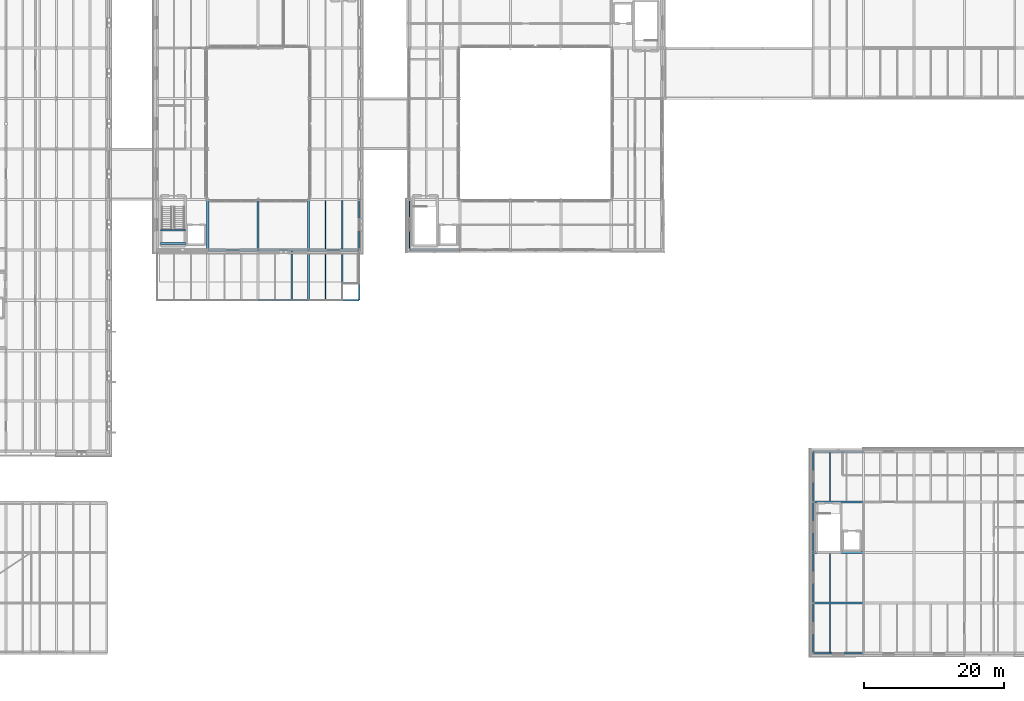
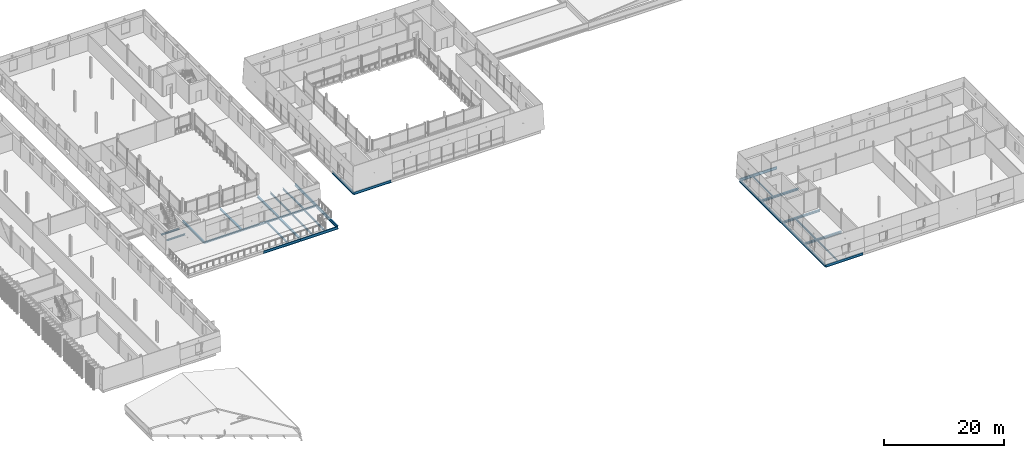
# One storey, part 15 of 91: 32 beams.
"""IFC4 building model written with IfcOpenShell, lengths in metres."""

import ifcopenshell
import ifcopenshell.guid

model = None  # the IFC model being written
_history = None  # IfcOwnerHistory: only IFC2X3 demands one
_inside = {}  # id of a spatial element -> (the spatial element, [elements in it])
_under = {}  # id of a project, library or spatial element -> (it, [spatial elements below it])
_declared = {}  # id of a project -> (the project, [libraries it declares])
_typed = {}  # id of a type object -> (the type object, [elements of that type])
_made_of = {}  # id of a material, layer set ... -> (it, [elements and type objects made of it])


def new_model(schema):
    """Start an empty IFC model of exactly this schema.

    Asked for "IFC4X3", IfcOpenShell would pick the latest addendum, in which some entities
    have other attributes; the version numbers below select the first issue.
    IFC2X3 requires an IfcOwnerHistory on every rooted entity: one is made here for all.
    """
    global model, _history
    if schema == "IFC4X3":
        model = ifcopenshell.file(schema_version=(4, 3, 0, 0))
    else:
        model = ifcopenshell.file(schema=schema)
    _inside.clear()
    _under.clear()
    _declared.clear()
    _typed.clear()
    _made_of.clear()
    _history = None
    if model.schema == "IFC2X3":
        org = make("IfcOrganization", Name="unknown")
        user = make(
            "IfcPersonAndOrganization",
            ThePerson=make("IfcPerson", FamilyName="unknown"),
            TheOrganization=org,
        )
        app = make(
            "IfcApplication",
            ApplicationDeveloper=org,
            Version="unknown",
            ApplicationFullName="unknown",
            ApplicationIdentifier="unknown",
        )
        _history = make(
            "IfcOwnerHistory",
            OwningUser=user,
            OwningApplication=app,
            ChangeAction="ADDED",
            CreationDate=0,
        )
    return model


def make(cls, **values):
    """One entity of the class cls with the attributes given. An attribute that is None is left unset."""
    return model.create_entity(
        cls, **{name: value for name, value in values.items() if value is not None}
    )


def rooted(cls, **values):
    """An entity with a GlobalId (a new one), such as an element, a storey or a relation."""
    return make(cls, GlobalId=ifcopenshell.guid.new(), OwnerHistory=_history, **values)


def si_unit(unit_type, name, prefix=None):
    """IfcSIUnit, for example si_unit("LENGTHUNIT", "METRE", prefix="MILLI")."""
    return make("IfcSIUnit", UnitType=unit_type, Prefix=prefix, Name=name)


def assignment(units):
    """IfcUnitAssignment: the units of a project."""
    return None if units is None else make("IfcUnitAssignment", Units=units)


def point(xyz):
    """IfcCartesianPoint."""
    return None if xyz is None else make("IfcCartesianPoint", Coordinates=xyz)


def direction(xyz):
    """IfcDirection."""
    return None if xyz is None else make("IfcDirection", DirectionRatios=xyz)


def frame(location, z_axis=None, x_axis=None):
    """IfcAxis2Placement3D, a coordinate frame: its origin and axes. An axis left out is left unset."""
    return make(
        "IfcAxis2Placement3D",
        Location=point(location),
        Axis=direction(z_axis),
        RefDirection=direction(x_axis),
    )


def frame_2d(location, x_axis=None):
    """IfcAxis2Placement2D, a coordinate frame in the plane: its origin and x axis."""
    return make(
        "IfcAxis2Placement2D", Location=point(location), RefDirection=direction(x_axis)
    )


def origin():
    """The frame at (0, 0, 0) with its axes left unset."""
    return frame((0.0, 0.0, 0.0))


def origin_2d():
    """The frame at (0, 0) in the plane with its x axis left unset."""
    return frame_2d((0.0, 0.0))


def place(relative_to, where):
    """IfcLocalPlacement: puts the frame where relative to a parent placement (None: the world)."""
    return make(
        "IfcLocalPlacement", PlacementRelTo=relative_to, RelativePlacement=where
    )


def context(
    kind, dimensions, precision=None, world=None, true_north=None, identifier=None
):
    """IfcGeometricRepresentationContext, for example the 3D "Model" context."""
    return make(
        "IfcGeometricRepresentationContext",
        ContextIdentifier=identifier,
        ContextType=kind,
        CoordinateSpaceDimension=dimensions,
        Precision=precision,
        WorldCoordinateSystem=world,
        TrueNorth=true_north,
    )


def subcontext(parent, identifier, kind, view, scale=None):
    """IfcGeometricRepresentationSubContext, for example "Body" below "Model"."""
    return make(
        "IfcGeometricRepresentationSubContext",
        ContextIdentifier=identifier,
        ContextType=kind,
        ParentContext=parent,
        TargetScale=scale,
        TargetView=view,
    )


def project(units=None, contexts=None):
    """IfcProject with its units and contexts."""
    return rooted(
        "IfcProject",
        Name="project",
        RepresentationContexts=contexts,
        UnitsInContext=assignment(units),
    )


def spatial(cls, under=None, at=None, **own):
    """A site, building, storey or space (cls), placed at a placement, below another one or the project."""
    s = rooted(cls, ObjectPlacement=at, **own)
    if under is not None:
        _under.setdefault(under.id(), (under, []))[1].append(s)
    return s


def profile(cls, at=None, kind="AREA", **sizes):
    """A parametric profile (cls). Its sizes go by their IFC names, for example OverallWidth=200.0."""
    return make(cls, ProfileType=kind, Position=at, **sizes)


def i_section(**sizes):
    """IfcIShapeProfileDef."""
    return profile("IfcIShapeProfileDef", **sizes)


def extrude(swept, where, along, depth):
    """IfcExtrudedAreaSolid: the profile swept, set in the frame where, extruded along a direction by depth."""
    return make(
        "IfcExtrudedAreaSolid",
        SweptArea=swept,
        Position=where,
        ExtrudedDirection=direction(along),
        Depth=depth,
    )


def shape(context_of_items, identifier, shape_type, items):
    """IfcShapeRepresentation: the items that make up one representation, for example the "Body"."""
    return make(
        "IfcShapeRepresentation",
        ContextOfItems=context_of_items,
        RepresentationIdentifier=identifier,
        RepresentationType=shape_type,
        Items=items,
    )


def material(Name=None, Category=None):
    """IfcMaterial."""
    return make("IfcMaterial", Name=Name, Category=Category)


def material_profile(
    of_material, cross_section, Name=None, Category=None, Priority=None
):
    """IfcMaterialProfile: a cross section and its material."""
    return make(
        "IfcMaterialProfile",
        Name=Name,
        Material=of_material,
        Profile=cross_section,
        Priority=Priority,
        Category=Category,
    )


def profile_set(profiles, Name=None, composite=None):
    """IfcMaterialProfileSet."""
    return make(
        "IfcMaterialProfileSet",
        Name=Name,
        MaterialProfiles=profiles,
        CompositeProfile=composite,
    )


def made_of(thing, what):
    """Note that an element or type object is made of a material, layer set ...; save() writes the relation."""
    if what is not None:
        _made_of.setdefault(what.id(), (what, []))[1].append(thing)
    return thing


def type_object(cls, material=None, **own):
    """A type object (cls), such as IfcWallType, which elements share."""
    return made_of(rooted(cls, **own), material)


def element(
    cls,
    number,
    at=None,
    inside=None,
    cuts=None,
    type_object=None,
    material=None,
    context=None,
    identifier="Body",
    shape_type=None,
    held_by="IfcProductDefinitionShape",
    body=None,
    shapes=None,
    **own,
):
    """One element of the class cls, such as IfcWall. Its Tag is "e" and its number.

    at: its placement. inside: the storey or other place that contains it. cuts: it is an
    opening in that element (IfcRelVoidsElement). A single representation is given by context,
    identifier, shape_type and body (its items); several are given by shapes. held_by: the class
    of the entity that holds the representations. save() writes the other relations.
    """
    e = rooted(cls, Tag="e%d" % number, ObjectPlacement=at, **own)
    if body is not None:
        shapes = [shape(context, identifier, shape_type, body)]
    if shapes is not None:
        e.Representation = make(held_by, Representations=shapes)
    if inside is not None:
        _inside.setdefault(inside.id(), (inside, []))[1].append(e)
    if cuts is not None:
        rooted(
            "IfcRelVoidsElement", RelatingBuildingElement=cuts, RelatedOpeningElement=e
        )
    if type_object is not None:
        _typed.setdefault(type_object.id(), (type_object, []))[1].append(e)
    return made_of(e, material)


def aggregate(whole, parts):
    """IfcRelAggregates: a whole, such as a stair, and the parts it consists of."""
    return rooted("IfcRelAggregates", RelatingObject=whole, RelatedObjects=parts)


def save(model, path):
    """Write the relations noted so far, then the file.

    IfcRelAggregates (storeys below a building ...), IfcRelContainedInSpatialStructure (elements
    in a storey), IfcRelDefinesByType, IfcRelAssociatesMaterial and IfcRelDeclares: one each for
    every whole, place, type object, material and project.
    """
    for whole, parts in _under.values():
        aggregate(whole, parts)
    for where, things in _inside.values():
        rooted(
            "IfcRelContainedInSpatialStructure",
            RelatedElements=things,
            RelatingStructure=where,
        )
    for kind, things in _typed.values():
        rooted("IfcRelDefinesByType", RelatedObjects=things, RelatingType=kind)
    for what, things in _made_of.values():
        rooted("IfcRelAssociatesMaterial", RelatedObjects=things, RelatingMaterial=what)
    for by, libraries in _declared.values():
        rooted("IfcRelDeclares", RelatingContext=by, RelatedDefinitions=libraries)
    model.write(path)


model = new_model("IFC4")

# Units and contexts
model_context = context("Model", 3, precision=1e-05, world=origin(), true_north=direction((0.0, 1.0)))
body_context = subcontext(model_context, "Body", "Model", "MODEL_VIEW")
ifc_project = project(units=[si_unit("LENGTHUNIT", "METRE"), si_unit("AREAUNIT", "SQUARE_METRE"), si_unit("VOLUMEUNIT", "CUBIC_METRE"), si_unit("PLANEANGLEUNIT", "RADIAN"), si_unit("MASSUNIT", "GRAM", prefix="KILO")], contexts=[model_context])

# Site, building, storey
site_placement = place(None, origin())
site = spatial("IfcSite", under=ifc_project, at=site_placement, CompositionType="ELEMENT")
building_placement = place(site_placement, origin())
building = spatial("IfcBuilding", under=site, at=building_placement, Name="Narikvali Park Central Library", CompositionType="ELEMENT")
storey_placement = place(building_placement, frame((0.0, 0.0, 14.39990234375)))
storey = spatial("IfcBuildingStorey", under=building, at=storey_placement, Name="L03", CompositionType="ELEMENT", Elevation=14.39990234375)

# Beams
ifc_material = material(Name="Steel S355", Category="steel")
ifc_material_profile_1 = material_profile(ifc_material, i_section(OverallWidth=0.159912109375, OverallDepth=0.330078125, WebThickness=0.007568359375, FlangeThickness=0.011474609375, FilletRadius=0.01806640625, at=origin_2d()), Name="IPE 330")
ifc_profile_set_1 = profile_set([ifc_material_profile_1], Name="Steel S355")
beam_type_1 = type_object("IfcBeamType", Name="Composite Floor Joist IPE330", PredefinedType="JOIST", material=ifc_profile_set_1)
beam_1_placement = place(storey_placement, frame((124.800048828125, 0.10498046875, -0.44482421875), z_axis=(0.0, 1.0, 0.0), x_axis=(-1.0, 0.0, 0.0)))
element("IfcBeam", 1, at=beam_1_placement, inside=storey, type_object=beam_type_1, Name="V6 L03 Composite Joist 1", PredefinedType="JOIST", context=body_context, shape_type="SweptSolid", body=[
    extrude(i_section(OverallWidth=0.159912109375, OverallDepth=0.330078125, WebThickness=0.007568359375, FlangeThickness=0.011474609375, FilletRadius=0.01806640625, at=origin_2d()), origin(), (0.0, 0.0, 1.0), 6.945068359375),
])
beam_2_placement = place(storey_placement, frame((124.800048828125, 7.35009765625, -0.44482421875), z_axis=(0.0, 1.0, 0.0), x_axis=(-1.0, 0.0, 0.0)))
element("IfcBeam", 2, at=beam_2_placement, inside=storey, type_object=beam_type_1, Name="V6 L03 Composite Joist 1", PredefinedType="JOIST", context=body_context, shape_type="SweptSolid", body=[
    extrude(i_section(OverallWidth=0.159912109375, OverallDepth=0.330078125, WebThickness=0.007568359375, FlangeThickness=0.011474609375, FilletRadius=0.01806640625, at=origin_2d()), origin(), (0.0, 0.0, 1.0), 6.89990234375),
])
beam_3_placement = place(storey_placement, frame((124.800048828125, 21.75, -0.44482421875), z_axis=(0.0, 1.0, 0.0), x_axis=(-1.0, 0.0, 0.0)))
element("IfcBeam", 3, at=beam_3_placement, inside=storey, type_object=beam_type_1, Name="V6 L03 Composite Joist 1", PredefinedType="JOIST", context=body_context, shape_type="SweptSolid", body=[
    extrude(i_section(OverallWidth=0.159912109375, OverallDepth=0.330078125, WebThickness=0.007568359375, FlangeThickness=0.011474609375, FilletRadius=0.01806640625, at=origin_2d()), origin(), (0.0, 0.0, 1.0), 6.945068359375),
])
ifc_material_profile_2 = material_profile(ifc_material, i_section(OverallWidth=0.260009765625, OverallDepth=0.260009765625, WebThickness=0.010009765625, FlangeThickness=0.017578125, FilletRadius=0.02392578125, at=origin_2d()), Name="HEB 260")
ifc_profile_set_2 = profile_set([ifc_material_profile_2], Name="Steel S355")
beam_type_2 = type_object("IfcBeamType", Name="Core Trimmer Girder HEB260", PredefinedType="BEAM", material=ifc_profile_set_2)
for number, where, z_axis, x_axis, name in (
    (4, (29.27001953125, 58.52001953125, 1.77001953125), (1.0, 0.0, 0.0), (0.0, 1.0, 0.0), "ST-07 L03 Landing Trimmer Beam 1-1"),
    (5, (29.27001953125, 60.39501953125, 1.77001953125), (1.0, 0.0, 0.0), (0.0, 1.0, 0.0), "ST-07 L03 Landing Trimmer Beam 1-2"),
):
    element("IfcBeam", number, at=place(storey_placement, frame(where, z_axis=z_axis, x_axis=x_axis)), inside=storey, type_object=beam_type_2, Name=name, PredefinedType="BEAM", context=body_context, shape_type="SweptSolid", body=[
        extrude(i_section(OverallWidth=0.260009765625, OverallDepth=0.260009765625, WebThickness=0.010009765625, FlangeThickness=0.017578125, FilletRadius=0.02392578125, at=origin_2d()), origin(), (0.0, 0.0, 1.0), 3.56005859375),
    ])
ifc_material_profile_3 = material_profile(ifc_material, i_section(OverallWidth=0.2099609375, OverallDepth=0.550048828125, WebThickness=0.010986328125, FlangeThickness=0.01708984375, FilletRadius=0.02392578125, at=origin_2d()), Name="IPE 550")
ifc_profile_set_3 = profile_set([ifc_material_profile_3], Name="Steel S355")
beam_type_3 = type_object("IfcBeamType", Name="Perimeter Spandrel IPE550", PredefinedType="SPANDREL", material=ifc_profile_set_3)
beam_4_placement = place(storey_placement, frame((64.80810546875, 57.60009765625, -0.554931640625), z_axis=(1.0, 0.0, 0.0), x_axis=(0.0, 1.0, 0.0)))
element("IfcBeam", 6, at=beam_4_placement, inside=storey, type_object=beam_type_3, Name="V1 L03 Girder X", PredefinedType="SPANDREL", context=body_context, shape_type="SweptSolid", body=[
    extrude(i_section(OverallWidth=0.2099609375, OverallDepth=0.550048828125, WebThickness=0.010986328125, FlangeThickness=0.01708984375, FilletRadius=0.02392578125, at=origin_2d()), origin(), (0.0, 0.0, 1.0), 7.183837890625),
])
for number, where, z_axis, x_axis, name in (
    (7, (64.800048828125, 57.60791015625, -0.554931640625), (0.0, 1.0, 0.0), (-1.0, 0.0, 0.0), "V1 L03 Girder Y"),
    (8, (43.2080078125, 50.39990234375, -0.614990234375), (1.0, 0.0, 0.0), (0.0, 1.0, 0.0), "V4 L03 Girder X"),
    (9, (50.407958984375, 50.39990234375, -0.614990234375), (1.0, 0.0, 0.0), (0.0, 1.0, 0.0), "V4 L03 Girder X"),
    (10, (57.60009765625, 50.407958984375, -0.614990234375), (0.0, 1.0, 0.0), (-1.0, 0.0, 0.0), "V4 L03 Girder Y"),
    (11, (57.60009765625, 57.60791015625, -0.554931640625), (0.0, 1.0, 0.0), (-1.0, 0.0, 0.0), "V4 L03 Girder Y"),
    (12, (122.407958984375, 0.0, -0.554931640625), (1.0, 0.0, 0.0), (0.0, 1.0, 0.0), "V6 L03 Girder X"),
    (13, (122.407958984375, 28.800048828125, -0.554931640625), (1.0, 0.0, 0.0), (0.0, 1.0, 0.0), "V6 L03 Girder X"),
):
    element("IfcBeam", number, at=place(storey_placement, frame(where, z_axis=z_axis, x_axis=x_axis)), inside=storey, type_object=beam_type_3, Name=name, PredefinedType="SPANDREL", context=body_context, shape_type="SweptSolid", body=[
        extrude(i_section(OverallWidth=0.2099609375, OverallDepth=0.550048828125, WebThickness=0.010986328125, FlangeThickness=0.01708984375, FilletRadius=0.02392578125, at=origin_2d()), origin(), (0.0, 0.0, 1.0), 7.18408203125),
    ])
beam_5_placement = place(storey_placement, frame((122.39990234375, 0.008056640625, -0.554931640625), z_axis=(0.0, 1.0, 0.0), x_axis=(-1.0, 0.0, 0.0)))
element("IfcBeam", 14, at=beam_5_placement, inside=storey, type_object=beam_type_3, Name="V6 L03 Girder Y", PredefinedType="SPANDREL", context=body_context, shape_type="SweptSolid", body=[
    extrude(i_section(OverallWidth=0.2099609375, OverallDepth=0.550048828125, WebThickness=0.010986328125, FlangeThickness=0.01708984375, FilletRadius=0.02392578125, at=origin_2d()), origin(), (0.0, 0.0, 1.0), 7.183837890625),
])
for number, where, z_axis, x_axis, name in (
    (15, (122.39990234375, 7.2080078125, -0.554931640625), (0.0, 1.0, 0.0), (-1.0, 0.0, 0.0), "V6 L03 Girder Y"),
    (16, (122.39990234375, 14.407958984375, -0.554931640625), (0.0, 1.0, 0.0), (-1.0, 0.0, 0.0), "V6 L03 Girder Y"),
    (17, (122.39990234375, 21.60791015625, -0.554931640625), (0.0, 1.0, 0.0), (-1.0, 0.0, 0.0), "V6 L03 Girder Y"),
):
    element("IfcBeam", number, at=place(storey_placement, frame(where, z_axis=z_axis, x_axis=x_axis)), inside=storey, type_object=beam_type_3, Name=name, PredefinedType="SPANDREL", context=body_context, shape_type="SweptSolid", body=[
        extrude(i_section(OverallWidth=0.2099609375, OverallDepth=0.550048828125, WebThickness=0.010986328125, FlangeThickness=0.01708984375, FilletRadius=0.02392578125, at=origin_2d()), origin(), (0.0, 0.0, 1.0), 7.18408203125),
    ])
ifc_material_profile_4 = material_profile(ifc_material, i_section(OverallWidth=0.300048828125, OverallDepth=0.31005859375, WebThickness=0.009033203125, FlangeThickness=0.015380859375, FilletRadius=0.027099609375, at=origin_2d()), Name="HEA 320")
ifc_profile_set_4 = profile_set([ifc_material_profile_4], Name="Steel S355")
beam_type_4 = type_object("IfcBeamType", Name="Primary Girder HEA320", PredefinedType="BEAM", material=ifc_profile_set_4)
beam_6_placement = place(storey_placement, frame((36.008056640625, 57.60009765625, -0.494873046875), z_axis=(1.0, 0.0, 0.0), x_axis=(0.0, 1.0, 0.0)))
element("IfcBeam", 18, at=beam_6_placement, inside=storey, type_object=beam_type_4, Name="V4 L03 Girder X", PredefinedType="BEAM", context=body_context, shape_type="SweptSolid", body=[
    extrude(i_section(OverallWidth=0.300048828125, OverallDepth=0.31005859375, WebThickness=0.009033203125, FlangeThickness=0.015380859375, FilletRadius=0.027099609375, at=origin_2d()), origin(), (0.0, 0.0, 1.0), 7.183837890625),
])
for number, where, z_axis, x_axis, name in (
    (19, (43.2080078125, 57.60009765625, -0.494873046875), (1.0, 0.0, 0.0), (0.0, 1.0, 0.0), "V4 L03 Girder X"),
    (20, (50.407958984375, 57.60009765625, -0.494873046875), (1.0, 0.0, 0.0), (0.0, 1.0, 0.0), "V4 L03 Girder X"),
):
    element("IfcBeam", number, at=place(storey_placement, frame(where, z_axis=z_axis, x_axis=x_axis)), inside=storey, type_object=beam_type_4, Name=name, PredefinedType="BEAM", context=body_context, shape_type="SweptSolid", body=[
        extrude(i_section(OverallWidth=0.300048828125, OverallDepth=0.31005859375, WebThickness=0.009033203125, FlangeThickness=0.015380859375, FilletRadius=0.027099609375, at=origin_2d()), origin(), (0.0, 0.0, 1.0), 7.18408203125),
    ])
ifc_material_profile_5 = material_profile(ifc_material, i_section(OverallWidth=0.300048828125, OverallDepth=0.35009765625, WebThickness=0.010009765625, FlangeThickness=0.017578125, FilletRadius=0.027099609375, at=origin_2d()), Name="HEA 360")
ifc_profile_set_5 = profile_set([ifc_material_profile_5], Name="Steel S355")
beam_type_5 = type_object("IfcBeamType", Name="Primary Girder HEA360", PredefinedType="BEAM", material=ifc_profile_set_5)
for number, where, z_axis, x_axis, name in (
    (21, (36.0, 57.60791015625, -0.454833984375), (0.0, 1.0, 0.0), (-1.0, 0.0, 0.0), "V4 L03 Girder Y"),
    (22, (43.199951171875, 57.60791015625, -0.454833984375), (0.0, 1.0, 0.0), (-1.0, 0.0, 0.0), "V4 L03 Girder Y"),
    (23, (50.39990234375, 50.407958984375, -0.514892578125), (0.0, 1.0, 0.0), (-1.0, 0.0, 0.0), "V4 L03 Girder Y"),
    (24, (50.39990234375, 57.60791015625, -0.454833984375), (0.0, 1.0, 0.0), (-1.0, 0.0, 0.0), "V4 L03 Girder Y"),
):
    element("IfcBeam", number, at=place(storey_placement, frame(where, z_axis=z_axis, x_axis=x_axis)), inside=storey, type_object=beam_type_5, Name=name, PredefinedType="BEAM", context=body_context, shape_type="SweptSolid", body=[
        extrude(i_section(OverallWidth=0.300048828125, OverallDepth=0.35009765625, WebThickness=0.010009765625, FlangeThickness=0.017578125, FilletRadius=0.027099609375, at=origin_2d()), origin(), (0.0, 0.0, 1.0), 7.18408203125),
    ])
ifc_material_profile_6 = material_profile(ifc_material, i_section(OverallWidth=0.300048828125, OverallDepth=0.389892578125, WebThickness=0.010986328125, FlangeThickness=0.01904296875, FilletRadius=0.027099609375, at=origin_2d()), Name="HEA 400")
ifc_profile_set_6 = profile_set([ifc_material_profile_6], Name="Steel S355")
beam_type_6 = type_object("IfcBeamType", Name="Primary Girder HEA400", PredefinedType="BEAM", material=ifc_profile_set_6)
for number, where, z_axis, x_axis, name in (
    (25, (122.407958984375, 7.199951171875, -0.474853515625), (1.0, 0.0, 0.0), (0.0, 1.0, 0.0), "V6 L03 Girder X"),
    (26, (122.407958984375, 14.39990234375, -0.474853515625), (1.0, 0.0, 0.0), (0.0, 1.0, 0.0), "V6 L03 Girder X"),
    (27, (122.407958984375, 21.60009765625, -0.474853515625), (1.0, 0.0, 0.0), (0.0, 1.0, 0.0), "V6 L03 Girder X"),
):
    element("IfcBeam", number, at=place(storey_placement, frame(where, z_axis=z_axis, x_axis=x_axis)), inside=storey, type_object=beam_type_6, Name=name, PredefinedType="BEAM", context=body_context, shape_type="SweptSolid", body=[
        extrude(i_section(OverallWidth=0.300048828125, OverallDepth=0.389892578125, WebThickness=0.010986328125, FlangeThickness=0.01904296875, FilletRadius=0.027099609375, at=origin_2d()), origin(), (0.0, 0.0, 1.0), 7.18408203125),
    ])
ifc_material_profile_7 = material_profile(ifc_material, i_section(OverallWidth=0.172119140625, OverallDepth=0.364013671875, WebThickness=0.00927734375, FlangeThickness=0.0146484375, FilletRadius=0.01806640625, at=origin_2d()), Name="IPEO 360")
ifc_profile_set_7 = profile_set([ifc_material_profile_7], Name="Steel S355")
beam_type_7 = type_object("IfcBeamType", Name="Upper Study Joist IPEO360", PredefinedType="JOIST", material=ifc_profile_set_7)
for number, where, z_axis, x_axis, name in (
    (28, (48.0, 50.5048828125, -0.52197265625), (0.0, 1.0, 0.0), (-1.0, 0.0, 0.0), "V4 L03 Composite Joist 2"),
    (29, (52.800048828125, 50.5048828125, -0.52197265625), (0.0, 1.0, 0.0), (-1.0, 0.0, 0.0), "V4 L03 Composite Joist 1"),
    (30, (55.199951171875, 50.5048828125, -0.52197265625), (0.0, 1.0, 0.0), (-1.0, 0.0, 0.0), "V4 L03 Composite Joist 2"),
):
    element("IfcBeam", number, at=place(storey_placement, frame(where, z_axis=z_axis, x_axis=x_axis)), inside=storey, type_object=beam_type_7, Name=name, PredefinedType="JOIST", context=body_context, shape_type="SweptSolid", body=[
        extrude(i_section(OverallWidth=0.172119140625, OverallDepth=0.364013671875, WebThickness=0.00927734375, FlangeThickness=0.0146484375, FilletRadius=0.01806640625, at=origin_2d()), origin(), (0.0, 0.0, 1.0), 6.945068359375),
    ])
for number, where, z_axis, x_axis, name in (
    (31, (52.800048828125, 57.75, -0.4619140625), (0.0, 1.0, 0.0), (-1.0, 0.0, 0.0), "V4 L03 Composite Joist 1"),
    (32, (55.199951171875, 57.75, -0.4619140625), (0.0, 1.0, 0.0), (-1.0, 0.0, 0.0), "V4 L03 Composite Joist 2"),
):
    element("IfcBeam", number, at=place(storey_placement, frame(where, z_axis=z_axis, x_axis=x_axis)), inside=storey, type_object=beam_type_7, Name=name, PredefinedType="JOIST", context=body_context, shape_type="SweptSolid", body=[
        extrude(i_section(OverallWidth=0.172119140625, OverallDepth=0.364013671875, WebThickness=0.00927734375, FlangeThickness=0.0146484375, FilletRadius=0.01806640625, at=origin_2d()), origin(), (0.0, 0.0, 1.0), 6.89990234375),
    ])

save(model, "model.ifc")
